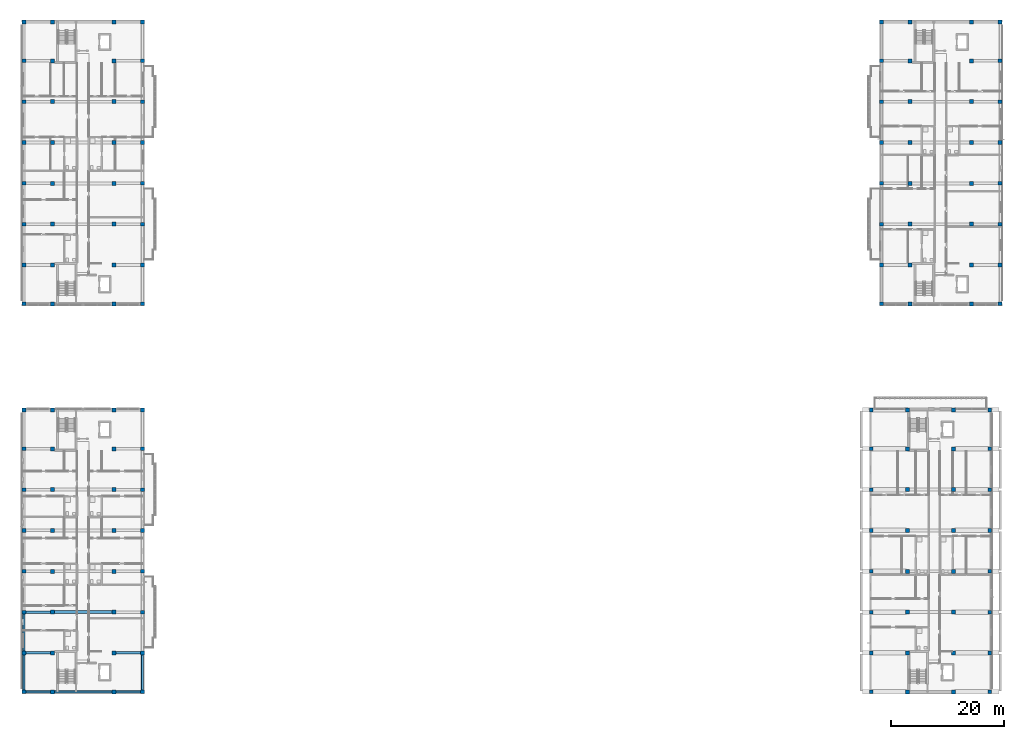
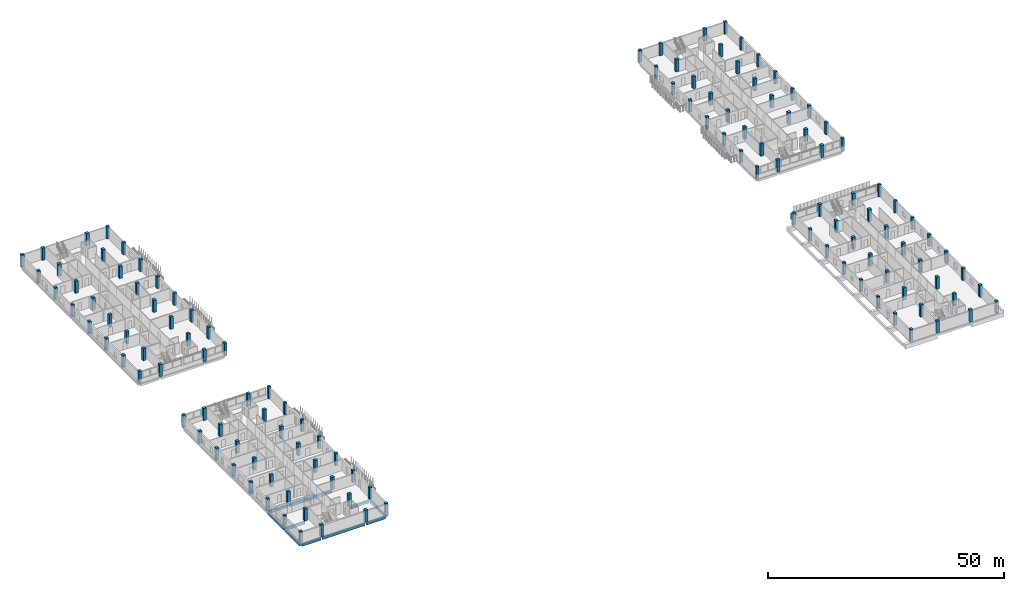
# One storey, part 1 of 51: 128 columns, 10 beams.
"""IFC4 building model written with IfcOpenShell, lengths in metres."""

from ifc_helpers import new_model, si_unit, derived_unit, direction, frame, origin, origin_2d, place, context, subcontext, project, spatial, rectangle, extrude, material, material_profile, profile_set, type_object, element, save


model = new_model("IFC4")

# Units and contexts
model_context = context("Model", 3, precision=1e-05, world=origin(), true_north=direction((0.0, 1.0)))
body_context = subcontext(model_context, "Body", "Model", "MODEL_VIEW")
ifc_project = project(units=[si_unit("LENGTHUNIT", "METRE"), si_unit("AREAUNIT", "SQUARE_METRE"), si_unit("VOLUMEUNIT", "CUBIC_METRE"), si_unit("PLANEANGLEUNIT", "RADIAN"), si_unit("MASSUNIT", "GRAM", prefix="KILO"), derived_unit("THERMALTRANSMITTANCEUNIT", [(si_unit("MASSUNIT", "GRAM", prefix="KILO"), 1), (si_unit("TIMEUNIT", "SECOND"), -3), (si_unit("THERMODYNAMICTEMPERATUREUNIT", "KELVIN"), -1)])], contexts=[model_context])

# Site, building, storey
site_placement = place(None, origin())
site = spatial("IfcSite", under=ifc_project, at=site_placement, CompositionType="ELEMENT")
building_placement = place(site_placement, origin())
building = spatial("IfcBuilding", under=site, at=building_placement, Name="Ochrekiln Boulevard Commons", CompositionType="ELEMENT")
storey_placement = place(building_placement, frame((0.0, 0.0, 18.375)))
storey = spatial("IfcBuildingStorey", under=building, at=storey_placement, Name="L05", CompositionType="ELEMENT", Elevation=18.375)

# Columns
ifc_material_1 = material(Name="Concrete C40/50", Category="concrete")
ifc_material_profile_1 = material_profile(ifc_material_1, rectangle(XDim=0.64990234375, YDim=0.64990234375, at=origin_2d()), Name="RC-COL-650x650")
ifc_profile_set_1 = profile_set([ifc_material_profile_1], Name="Concrete C40/50")
column_type_1 = type_object("IfcColumnType", Name="COL-RC-650", PredefinedType="COLUMN", material=ifc_profile_set_1)
for number, where, z_axis, x_axis, name in (
    (1, (0.35009765625, 68.75, 0.0), (0.0, 0.0, 1.0), (1.0, 0.0, 0.0), "Block A L05 Column C-650 (1)"),
    (2, (0.35009765625, 75.60009765625, 0.0), (0.0, 0.0, 1.0), (1.0, 0.0, 0.0), "Block A L05 Column C-650 (2)"),
    (3, (0.35009765625, 82.800048828125, 0.0), (0.0, 0.0, 1.0), (1.0, 0.0, 0.0), "Block A L05 Column C-650 (3)"),
    (4, (0.35009765625, 90.0, 0.0), (0.0, 0.0, 1.0), (1.0, 0.0, 0.0), "Block A L05 Column C-650 (4)"),
    (5, (0.35009765625, 97.199951171875, 0.0), (0.0, 0.0, 1.0), (1.0, 0.0, 0.0), "Block A L05 Column C-650 (5)"),
    (6, (0.35009765625, 104.39990234375, 0.0), (0.0, 0.0, 1.0), (1.0, 0.0, 0.0), "Block A L05 Column C-650 (6)"),
    (7, (0.35009765625, 111.60009765625, 0.0), (0.0, 0.0, 1.0), (1.0, 0.0, 0.0), "Block A L05 Column C-650 (7)"),
    (8, (0.35009765625, 118.449951171875, 0.0), (0.0, 0.0, 1.0), (1.0, 0.0, 0.0), "Block A L05 Column C-650 (8)"),
    (9, (21.25, 68.75, 0.0), (0.0, 0.0, 1.0), (1.0, 0.0, 0.0), "Block A L05 Column C-650 (25)"),
    (10, (21.25, 75.60009765625, 0.0), (0.0, 0.0, 1.0), (1.0, 0.0, 0.0), "Block A L05 Column C-650 (26)"),
    (11, (21.25, 82.800048828125, 0.0), (0.0, 0.0, 1.0), (1.0, 0.0, 0.0), "Block A L05 Column C-650 (27)"),
    (12, (21.25, 90.0, 0.0), (0.0, 0.0, 1.0), (1.0, 0.0, 0.0), "Block A L05 Column C-650 (28)"),
    (13, (21.25, 97.199951171875, 0.0), (0.0, 0.0, 1.0), (1.0, 0.0, 0.0), "Block A L05 Column C-650 (29)"),
    (14, (21.25, 104.39990234375, 0.0), (0.0, 0.0, 1.0), (1.0, 0.0, 0.0), "Block A L05 Column C-650 (30)"),
    (15, (21.25, 111.60009765625, 0.0), (0.0, 0.0, 1.0), (1.0, 0.0, 0.0), "Block A L05 Column C-650 (31)"),
    (16, (21.25, 118.449951171875, 0.0), (0.0, 0.0, 1.0), (1.0, 0.0, 0.0), "Block A L05 Column C-650 (32)"),
    (17, (151.550048828125, 68.75, 0.0), (0.0, 0.0, 1.0), (1.0, 0.0, 0.0), "Block B L05 Column C-650 (1)"),
    (18, (151.550048828125, 75.60009765625, 0.0), (0.0, 0.0, 1.0), (1.0, 0.0, 0.0), "Block B L05 Column C-650 (2)"),
    (19, (151.550048828125, 82.800048828125, 0.0), (0.0, 0.0, 1.0), (1.0, 0.0, 0.0), "Block B L05 Column C-650 (3)"),
    (20, (151.550048828125, 90.0, 0.0), (0.0, 0.0, 1.0), (1.0, 0.0, 0.0), "Block B L05 Column C-650 (4)"),
    (21, (151.550048828125, 97.199951171875, 0.0), (0.0, 0.0, 1.0), (1.0, 0.0, 0.0), "Block B L05 Column C-650 (5)"),
    (22, (151.550048828125, 104.39990234375, 0.0), (0.0, 0.0, 1.0), (1.0, 0.0, 0.0), "Block B L05 Column C-650 (6)"),
    (23, (151.550048828125, 111.60009765625, 0.0), (0.0, 0.0, 1.0), (1.0, 0.0, 0.0), "Block B L05 Column C-650 (7)"),
    (24, (151.550048828125, 118.449951171875, 0.0), (0.0, 0.0, 1.0), (1.0, 0.0, 0.0), "Block B L05 Column C-650 (8)"),
    (25, (172.449951171875, 68.75, 0.0), (0.0, 0.0, 1.0), (1.0, 0.0, 0.0), "Block B L05 Column C-650 (25)"),
    (26, (172.449951171875, 75.60009765625, 0.0), (0.0, 0.0, 1.0), (1.0, 0.0, 0.0), "Block B L05 Column C-650 (26)"),
    (27, (172.449951171875, 82.800048828125, 0.0), (0.0, 0.0, 1.0), (1.0, 0.0, 0.0), "Block B L05 Column C-650 (27)"),
    (28, (172.449951171875, 90.0, 0.0), (0.0, 0.0, 1.0), (1.0, 0.0, 0.0), "Block B L05 Column C-650 (28)"),
    (29, (172.449951171875, 97.199951171875, 0.0), (0.0, 0.0, 1.0), (1.0, 0.0, 0.0), "Block B L05 Column C-650 (29)"),
    (30, (172.449951171875, 104.39990234375, 0.0), (0.0, 0.0, 1.0), (1.0, 0.0, 0.0), "Block B L05 Column C-650 (30)"),
    (31, (172.449951171875, 111.60009765625, 0.0), (0.0, 0.0, 1.0), (1.0, 0.0, 0.0), "Block B L05 Column C-650 (31)"),
    (32, (172.449951171875, 118.449951171875, 0.0), (0.0, 0.0, 1.0), (1.0, 0.0, 0.0), "Block B L05 Column C-650 (32)"),
    (33, (149.75, 0.35009765625, 0.0), (0.0, 0.0, 1.0), (1.0, 0.0, 0.0), "Block C L05 Column C-650 (1)"),
    (34, (149.75, 7.199951171875, 0.0), (0.0, 0.0, 1.0), (1.0, 0.0, 0.0), "Block C L05 Column C-650 (2)"),
    (35, (149.75, 14.39990234375, 0.0), (0.0, 0.0, 1.0), (1.0, 0.0, 0.0), "Block C L05 Column C-650 (3)"),
    (36, (149.75, 21.60009765625, 0.0), (0.0, 0.0, 1.0), (1.0, 0.0, 0.0), "Block C L05 Column C-650 (4)"),
    (37, (149.75, 28.800048828125, 0.0), (0.0, 0.0, 1.0), (1.0, 0.0, 0.0), "Block C L05 Column C-650 (5)"),
    (38, (149.75, 36.0, 0.0), (0.0, 0.0, 1.0), (1.0, 0.0, 0.0), "Block C L05 Column C-650 (6)"),
    (39, (149.75, 43.199951171875, 0.0), (0.0, 0.0, 1.0), (1.0, 0.0, 0.0), "Block C L05 Column C-650 (7)"),
    (40, (149.75, 50.050048828125, 0.0), (0.0, 0.0, 1.0), (1.0, 0.0, 0.0), "Block C L05 Column C-650 (8)"),
    (41, (170.64990234375, 0.35009765625, 0.0), (0.0, 0.0, 1.0), (1.0, 0.0, 0.0), "Block C L05 Column C-650 (25)"),
    (42, (170.64990234375, 7.199951171875, 0.0), (0.0, 0.0, 1.0), (1.0, 0.0, 0.0), "Block C L05 Column C-650 (26)"),
    (43, (170.64990234375, 14.39990234375, 0.0), (0.0, 0.0, 1.0), (1.0, 0.0, 0.0), "Block C L05 Column C-650 (27)"),
    (44, (170.64990234375, 21.60009765625, 0.0), (0.0, 0.0, 1.0), (1.0, 0.0, 0.0), "Block C L05 Column C-650 (28)"),
    (45, (170.64990234375, 28.800048828125, 0.0), (0.0, 0.0, 1.0), (1.0, 0.0, 0.0), "Block C L05 Column C-650 (29)"),
    (46, (170.64990234375, 36.0, 0.0), (0.0, 0.0, 1.0), (1.0, 0.0, 0.0), "Block C L05 Column C-650 (30)"),
    (47, (170.64990234375, 43.199951171875, 0.0), (0.0, 0.0, 1.0), (1.0, 0.0, 0.0), "Block C L05 Column C-650 (31)"),
    (48, (170.64990234375, 50.050048828125, 0.0), (0.0, 0.0, 1.0), (1.0, 0.0, 0.0), "Block C L05 Column C-650 (32)"),
    (49, (0.35009765625, 0.35009765625, 0.0), (0.0, 0.0, 1.0), (1.0, 0.0, 0.0), "Block D L05 Column C-650 (1)"),
    (50, (0.35009765625, 7.199951171875, 0.0), (0.0, 0.0, 1.0), (1.0, 0.0, 0.0), "Block D L05 Column C-650 (2)"),
    (51, (0.35009765625, 14.39990234375, 0.0), (0.0, 0.0, 1.0), (1.0, 0.0, 0.0), "Block D L05 Column C-650 (3)"),
    (52, (0.35009765625, 21.60009765625, 0.0), (0.0, 0.0, 1.0), (1.0, 0.0, 0.0), "Block D L05 Column C-650 (4)"),
    (53, (0.35009765625, 28.800048828125, 0.0), (0.0, 0.0, 1.0), (1.0, 0.0, 0.0), "Block D L05 Column C-650 (5)"),
    (54, (0.35009765625, 36.0, 0.0), (0.0, 0.0, 1.0), (1.0, 0.0, 0.0), "Block D L05 Column C-650 (6)"),
    (55, (0.35009765625, 43.199951171875, 0.0), (0.0, 0.0, 1.0), (1.0, 0.0, 0.0), "Block D L05 Column C-650 (7)"),
    (56, (0.35009765625, 50.050048828125, 0.0), (0.0, 0.0, 1.0), (1.0, 0.0, 0.0), "Block D L05 Column C-650 (8)"),
    (57, (21.25, 0.35009765625, 0.0), (0.0, 0.0, 1.0), (1.0, 0.0, 0.0), "Block D L05 Column C-650 (25)"),
    (58, (21.25, 7.199951171875, 0.0), (0.0, 0.0, 1.0), (1.0, 0.0, 0.0), "Block D L05 Column C-650 (26)"),
    (59, (21.25, 14.39990234375, 0.0), (0.0, 0.0, 1.0), (1.0, 0.0, 0.0), "Block D L05 Column C-650 (27)"),
    (60, (21.25, 21.60009765625, 0.0), (0.0, 0.0, 1.0), (1.0, 0.0, 0.0), "Block D L05 Column C-650 (28)"),
    (61, (21.25, 28.800048828125, 0.0), (0.0, 0.0, 1.0), (1.0, 0.0, 0.0), "Block D L05 Column C-650 (29)"),
    (62, (21.25, 36.0, 0.0), (0.0, 0.0, 1.0), (1.0, 0.0, 0.0), "Block D L05 Column C-650 (30)"),
    (63, (21.25, 43.199951171875, 0.0), (0.0, 0.0, 1.0), (1.0, 0.0, 0.0), "Block D L05 Column C-650 (31)"),
    (64, (21.25, 50.050048828125, 0.0), (0.0, 0.0, 1.0), (1.0, 0.0, 0.0), "Block D L05 Column C-650 (32)"),
):
    element("IfcColumn", number, at=place(storey_placement, frame(where, z_axis=z_axis, x_axis=x_axis)), inside=storey, type_object=column_type_1, Name=name, PredefinedType="COLUMN", context=body_context, shape_type="SweptSolid", body=[
        extrude(rectangle(XDim=0.64990234375, YDim=0.64990234375, at=origin_2d()), origin(), (0.0, 0.0, 1.0), 3.14990234375),
    ])
ifc_material_profile_2 = material_profile(ifc_material_1, rectangle(XDim=0.699951171875, YDim=0.699951171875, at=origin_2d()), Name="RC-COL-700x700")
ifc_profile_set_2 = profile_set([ifc_material_profile_2], Name="Concrete C40/50")
column_type_2 = type_object("IfcColumnType", Name="COL-RC-700", PredefinedType="COLUMN", material=ifc_profile_set_2)
for number, where, z_axis, x_axis, name in (
    (65, (5.39990234375, 68.75, 0.0), (0.0, 0.0, 1.0), (1.0, 0.0, 0.0), "Block A L05 Column C-700 (9)"),
    (66, (5.39990234375, 75.60009765625, 0.0), (0.0, 0.0, 1.0), (1.0, 0.0, 0.0), "Block A L05 Column C-700 (10)"),
    (67, (5.39990234375, 82.800048828125, 0.0), (0.0, 0.0, 1.0), (1.0, 0.0, 0.0), "Block A L05 Column C-700 (11)"),
    (68, (5.39990234375, 90.0, 0.0), (0.0, 0.0, 1.0), (1.0, 0.0, 0.0), "Block A L05 Column C-700 (12)"),
    (69, (5.39990234375, 97.199951171875, 0.0), (0.0, 0.0, 1.0), (1.0, 0.0, 0.0), "Block A L05 Column C-700 (13)"),
    (70, (5.39990234375, 104.39990234375, 0.0), (0.0, 0.0, 1.0), (1.0, 0.0, 0.0), "Block A L05 Column C-700 (14)"),
    (71, (5.39990234375, 111.60009765625, 0.0), (0.0, 0.0, 1.0), (1.0, 0.0, 0.0), "Block A L05 Column C-700 (15)"),
    (72, (5.39990234375, 118.449951171875, 0.0), (0.0, 0.0, 1.0), (1.0, 0.0, 0.0), "Block A L05 Column C-700 (16)"),
    (73, (16.199951171875, 68.75, 0.0), (0.0, 0.0, 1.0), (1.0, 0.0, 0.0), "Block A L05 Column C-700 (17)"),
    (74, (16.199951171875, 75.60009765625, 0.0), (0.0, 0.0, 1.0), (1.0, 0.0, 0.0), "Block A L05 Column C-700 (18)"),
    (75, (16.199951171875, 82.800048828125, 0.0), (0.0, 0.0, 1.0), (1.0, 0.0, 0.0), "Block A L05 Column C-700 (19)"),
    (76, (16.199951171875, 90.0, 0.0), (0.0, 0.0, 1.0), (1.0, 0.0, 0.0), "Block A L05 Column C-700 (20)"),
    (77, (16.199951171875, 97.199951171875, 0.0), (0.0, 0.0, 1.0), (1.0, 0.0, 0.0), "Block A L05 Column C-700 (21)"),
    (78, (16.199951171875, 104.39990234375, 0.0), (0.0, 0.0, 1.0), (1.0, 0.0, 0.0), "Block A L05 Column C-700 (22)"),
    (79, (16.199951171875, 111.60009765625, 0.0), (0.0, 0.0, 1.0), (1.0, 0.0, 0.0), "Block A L05 Column C-700 (23)"),
    (80, (16.199951171875, 118.449951171875, 0.0), (0.0, 0.0, 1.0), (1.0, 0.0, 0.0), "Block A L05 Column C-700 (24)"),
    (81, (156.60009765625, 68.75, 0.0), (0.0, 0.0, 1.0), (1.0, 0.0, 0.0), "Block B L05 Column C-700 (9)"),
    (82, (156.60009765625, 75.60009765625, 0.0), (0.0, 0.0, 1.0), (1.0, 0.0, 0.0), "Block B L05 Column C-700 (10)"),
    (83, (156.60009765625, 82.800048828125, 0.0), (0.0, 0.0, 1.0), (1.0, 0.0, 0.0), "Block B L05 Column C-700 (11)"),
    (84, (156.60009765625, 90.0, 0.0), (0.0, 0.0, 1.0), (1.0, 0.0, 0.0), "Block B L05 Column C-700 (12)"),
    (85, (156.60009765625, 97.199951171875, 0.0), (0.0, 0.0, 1.0), (1.0, 0.0, 0.0), "Block B L05 Column C-700 (13)"),
    (86, (156.60009765625, 104.39990234375, 0.0), (0.0, 0.0, 1.0), (1.0, 0.0, 0.0), "Block B L05 Column C-700 (14)"),
    (87, (156.60009765625, 111.60009765625, 0.0), (0.0, 0.0, 1.0), (1.0, 0.0, 0.0), "Block B L05 Column C-700 (15)"),
    (88, (156.60009765625, 118.449951171875, 0.0), (0.0, 0.0, 1.0), (1.0, 0.0, 0.0), "Block B L05 Column C-700 (16)"),
    (89, (167.39990234375, 68.75, 0.0), (0.0, 0.0, 1.0), (1.0, 0.0, 0.0), "Block B L05 Column C-700 (17)"),
    (90, (167.39990234375, 75.60009765625, 0.0), (0.0, 0.0, 1.0), (1.0, 0.0, 0.0), "Block B L05 Column C-700 (18)"),
    (91, (167.39990234375, 82.800048828125, 0.0), (0.0, 0.0, 1.0), (1.0, 0.0, 0.0), "Block B L05 Column C-700 (19)"),
    (92, (167.39990234375, 90.0, 0.0), (0.0, 0.0, 1.0), (1.0, 0.0, 0.0), "Block B L05 Column C-700 (20)"),
    (93, (167.39990234375, 97.199951171875, 0.0), (0.0, 0.0, 1.0), (1.0, 0.0, 0.0), "Block B L05 Column C-700 (21)"),
    (94, (167.39990234375, 104.39990234375, 0.0), (0.0, 0.0, 1.0), (1.0, 0.0, 0.0), "Block B L05 Column C-700 (22)"),
    (95, (167.39990234375, 111.60009765625, 0.0), (0.0, 0.0, 1.0), (1.0, 0.0, 0.0), "Block B L05 Column C-700 (23)"),
    (96, (167.39990234375, 118.449951171875, 0.0), (0.0, 0.0, 1.0), (1.0, 0.0, 0.0), "Block B L05 Column C-700 (24)"),
    (97, (156.14990234375, 0.35009765625, 0.0), (0.0, 0.0, 1.0), (1.0, 0.0, 0.0), "Block C L05 Column C-700 (9)"),
    (98, (156.14990234375, 7.199951171875, 0.0), (0.0, 0.0, 1.0), (1.0, 0.0, 0.0), "Block C L05 Column C-700 (10)"),
    (99, (156.14990234375, 14.39990234375, 0.0), (0.0, 0.0, 1.0), (1.0, 0.0, 0.0), "Block C L05 Column C-700 (11)"),
    (100, (156.14990234375, 21.60009765625, 0.0), (0.0, 0.0, 1.0), (1.0, 0.0, 0.0), "Block C L05 Column C-700 (12)"),
    (101, (156.14990234375, 28.800048828125, 0.0), (0.0, 0.0, 1.0), (1.0, 0.0, 0.0), "Block C L05 Column C-700 (13)"),
    (102, (156.14990234375, 36.0, 0.0), (0.0, 0.0, 1.0), (1.0, 0.0, 0.0), "Block C L05 Column C-700 (14)"),
    (103, (156.14990234375, 43.199951171875, 0.0), (0.0, 0.0, 1.0), (1.0, 0.0, 0.0), "Block C L05 Column C-700 (15)"),
    (104, (156.14990234375, 50.050048828125, 0.0), (0.0, 0.0, 1.0), (1.0, 0.0, 0.0), "Block C L05 Column C-700 (16)"),
    (105, (164.25, 0.35009765625, 0.0), (0.0, 0.0, 1.0), (1.0, 0.0, 0.0), "Block C L05 Column C-700 (17)"),
    (106, (164.25, 7.199951171875, 0.0), (0.0, 0.0, 1.0), (1.0, 0.0, 0.0), "Block C L05 Column C-700 (18)"),
    (107, (164.25, 14.39990234375, 0.0), (0.0, 0.0, 1.0), (1.0, 0.0, 0.0), "Block C L05 Column C-700 (19)"),
    (108, (164.25, 21.60009765625, 0.0), (0.0, 0.0, 1.0), (1.0, 0.0, 0.0), "Block C L05 Column C-700 (20)"),
    (109, (164.25, 28.800048828125, 0.0), (0.0, 0.0, 1.0), (1.0, 0.0, 0.0), "Block C L05 Column C-700 (21)"),
    (110, (164.25, 36.0, 0.0), (0.0, 0.0, 1.0), (1.0, 0.0, 0.0), "Block C L05 Column C-700 (22)"),
    (111, (164.25, 43.199951171875, 0.0), (0.0, 0.0, 1.0), (1.0, 0.0, 0.0), "Block C L05 Column C-700 (23)"),
    (112, (164.25, 50.050048828125, 0.0), (0.0, 0.0, 1.0), (1.0, 0.0, 0.0), "Block C L05 Column C-700 (24)"),
    (113, (5.39990234375, 0.35009765625, 0.0), (0.0, 0.0, 1.0), (1.0, 0.0, 0.0), "Block D L05 Column C-700 (9)"),
    (114, (5.39990234375, 7.199951171875, 0.0), (0.0, 0.0, 1.0), (1.0, 0.0, 0.0), "Block D L05 Column C-700 (10)"),
    (115, (5.39990234375, 14.39990234375, 0.0), (0.0, 0.0, 1.0), (1.0, 0.0, 0.0), "Block D L05 Column C-700 (11)"),
    (116, (5.39990234375, 21.60009765625, 0.0), (0.0, 0.0, 1.0), (1.0, 0.0, 0.0), "Block D L05 Column C-700 (12)"),
    (117, (5.39990234375, 28.800048828125, 0.0), (0.0, 0.0, 1.0), (1.0, 0.0, 0.0), "Block D L05 Column C-700 (13)"),
    (118, (5.39990234375, 36.0, 0.0), (0.0, 0.0, 1.0), (1.0, 0.0, 0.0), "Block D L05 Column C-700 (14)"),
    (119, (5.39990234375, 43.199951171875, 0.0), (0.0, 0.0, 1.0), (1.0, 0.0, 0.0), "Block D L05 Column C-700 (15)"),
    (120, (5.39990234375, 50.050048828125, 0.0), (0.0, 0.0, 1.0), (1.0, 0.0, 0.0), "Block D L05 Column C-700 (16)"),
    (121, (16.199951171875, 0.35009765625, 0.0), (0.0, 0.0, 1.0), (1.0, 0.0, 0.0), "Block D L05 Column C-700 (17)"),
    (122, (16.199951171875, 7.199951171875, 0.0), (0.0, 0.0, 1.0), (1.0, 0.0, 0.0), "Block D L05 Column C-700 (18)"),
    (123, (16.199951171875, 14.39990234375, 0.0), (0.0, 0.0, 1.0), (1.0, 0.0, 0.0), "Block D L05 Column C-700 (19)"),
    (124, (16.199951171875, 21.60009765625, 0.0), (0.0, 0.0, 1.0), (1.0, 0.0, 0.0), "Block D L05 Column C-700 (20)"),
    (125, (16.199951171875, 28.800048828125, 0.0), (0.0, 0.0, 1.0), (1.0, 0.0, 0.0), "Block D L05 Column C-700 (21)"),
    (126, (16.199951171875, 36.0, 0.0), (0.0, 0.0, 1.0), (1.0, 0.0, 0.0), "Block D L05 Column C-700 (22)"),
    (127, (16.199951171875, 43.199951171875, 0.0), (0.0, 0.0, 1.0), (1.0, 0.0, 0.0), "Block D L05 Column C-700 (23)"),
    (128, (16.199951171875, 50.050048828125, 0.0), (0.0, 0.0, 1.0), (1.0, 0.0, 0.0), "Block D L05 Column C-700 (24)"),
):
    element("IfcColumn", number, at=place(storey_placement, frame(where, z_axis=z_axis, x_axis=x_axis)), inside=storey, type_object=column_type_2, Name=name, PredefinedType="COLUMN", context=body_context, shape_type="SweptSolid", body=[
        extrude(rectangle(XDim=0.699951171875, YDim=0.699951171875, at=origin_2d()), origin(), (0.0, 0.0, 1.0), 3.14990234375),
    ])

# Beams
ifc_material_2 = material(Name="Concrete C35/45", Category="concrete")
ifc_material_profile_3 = material_profile(ifc_material_2, rectangle(XDim=0.449951171875, YDim=0.64990234375, at=origin_2d()), Name="RC-BM-450x650")
ifc_profile_set_3 = profile_set([ifc_material_profile_3], Name="Concrete C35/45")
beam_type_1 = type_object("IfcBeamType", Name="BM-RC-450x650", PredefinedType="BEAM", material=ifc_profile_set_3)
beam_1_placement = place(storey_placement, frame((0.56005859375, 7.199951171875, -0.5849609375), z_axis=(1.0, 0.0, 0.0), x_axis=(0.0, 1.0, 0.0)))
element("IfcBeam", 129, at=beam_1_placement, inside=storey, type_object=beam_type_1, Name="Block D L05 Beam B-4565 X4", PredefinedType="BEAM", context=body_context, shape_type="SweptSolid", body=[
    extrude(rectangle(XDim=0.449951171875, YDim=0.64990234375, at=origin_2d()), origin(), (0.0, 0.0, 1.0), 4.6298828125),
])
beam_2_placement = place(storey_placement, frame((16.409912109375, 7.199951171875, -0.5849609375), z_axis=(1.0, 0.0, 0.0), x_axis=(0.0, 1.0, 0.0)))
element("IfcBeam", 130, at=beam_2_placement, inside=storey, type_object=beam_type_1, Name="Block D L05 Beam B-4565 X5", PredefinedType="BEAM", context=body_context, shape_type="SweptSolid", body=[
    extrude(rectangle(XDim=0.449951171875, YDim=0.64990234375, at=origin_2d()), origin(), (0.0, 0.0, 1.0), 4.630126953125),
])
beam_3_placement = place(storey_placement, frame((0.56005859375, 14.39990234375, -0.5849609375), z_axis=(1.0, 0.0, 0.0), x_axis=(0.0, 1.0, 0.0)))
element("IfcBeam", 131, at=beam_3_placement, inside=storey, type_object=beam_type_1, Name="Block D L05 Beam B-4565 X6", PredefinedType="BEAM", context=body_context, shape_type="SweptSolid", body=[
    extrude(rectangle(XDim=0.449951171875, YDim=0.64990234375, at=origin_2d()), origin(), (0.0, 0.0, 1.0), 4.6298828125),
])
ifc_material_profile_4 = material_profile(ifc_material_1, rectangle(XDim=0.5, YDim=0.699951171875, at=origin_2d()), Name="RC-BM-500x700")
ifc_profile_set_4 = profile_set([ifc_material_profile_4], Name="Concrete C40/50")
beam_type_2 = type_object("IfcBeamType", Name="BM-RC-500x700", PredefinedType="BEAM", material=ifc_profile_set_4)
beam_4_placement = place(storey_placement, frame((5.610107421875, 14.39990234375, -0.610107421875), z_axis=(1.0, 0.0, 0.0), x_axis=(0.0, 1.0, 0.0)))
element("IfcBeam", 132, at=beam_4_placement, inside=storey, type_object=beam_type_2, Name="Block D L05 Beam B-5070 X7", PredefinedType="BEAM", context=body_context, shape_type="SweptSolid", body=[
    extrude(rectangle(XDim=0.5, YDim=0.699951171875, at=origin_2d()), origin(), (0.0, 0.0, 1.0), 10.3798828125),
])
ifc_material_profile_5 = material_profile(ifc_material_1, rectangle(XDim=0.35009765625, YDim=0.64990234375, at=origin_2d()), Name="RC-SPN-350x650")
ifc_profile_set_5 = profile_set([ifc_material_profile_5], Name="Concrete C40/50")
beam_type_3 = type_object("IfcBeamType", Name="SPN-RC-350x650", PredefinedType="SPANDREL", material=ifc_profile_set_5)
beam_5_placement = place(storey_placement, frame((0.56005859375, 0.35009765625, -0.5849609375), z_axis=(1.0, 0.0, 0.0), x_axis=(0.0, 1.0, 0.0)))
element("IfcBeam", 133, at=beam_5_placement, inside=storey, type_object=beam_type_3, Name="Block D L05 Beam SP-3565 X1", PredefinedType="SPANDREL", context=body_context, shape_type="SweptSolid", body=[
    extrude(rectangle(XDim=0.35009765625, YDim=0.64990234375, at=origin_2d()), origin(), (0.0, 0.0, 1.0), 4.6298828125),
])
beam_6_placement = place(storey_placement, frame((5.610107421875, 0.35009765625, -0.5849609375), z_axis=(1.0, 0.0, 0.0), x_axis=(0.0, 1.0, 0.0)))
element("IfcBeam", 134, at=beam_6_placement, inside=storey, type_object=beam_type_3, Name="Block D L05 Beam SP-3565 X2", PredefinedType="SPANDREL", context=body_context, shape_type="SweptSolid", body=[
    extrude(rectangle(XDim=0.35009765625, YDim=0.64990234375, at=origin_2d()), origin(), (0.0, 0.0, 1.0), 10.3798828125),
])
beam_7_placement = place(storey_placement, frame((16.409912109375, 0.35009765625, -0.5849609375), z_axis=(1.0, 0.0, 0.0), x_axis=(0.0, 1.0, 0.0)))
element("IfcBeam", 135, at=beam_7_placement, inside=storey, type_object=beam_type_3, Name="Block D L05 Beam SP-3565 X3", PredefinedType="SPANDREL", context=body_context, shape_type="SweptSolid", body=[
    extrude(rectangle(XDim=0.35009765625, YDim=0.64990234375, at=origin_2d()), origin(), (0.0, 0.0, 1.0), 4.630126953125),
])
beam_8_placement = place(storey_placement, frame((0.35009765625, 0.56005859375, -0.5849609375), z_axis=(0.0, 1.0, 0.0), x_axis=(-1.0, 0.0, 0.0)))
element("IfcBeam", 136, at=beam_8_placement, inside=storey, type_object=beam_type_3, Name="Block D L05 Beam SP-3565 Y23", PredefinedType="SPANDREL", context=body_context, shape_type="SweptSolid", body=[
    extrude(rectangle(XDim=0.35009765625, YDim=0.64990234375, at=origin_2d()), origin(), (0.0, 0.0, 1.0), 6.429931640625),
])
beam_9_placement = place(storey_placement, frame((0.35009765625, 7.409912109375, -0.5849609375), z_axis=(0.0, 1.0, 0.0), x_axis=(-1.0, 0.0, 0.0)))
element("IfcBeam", 137, at=beam_9_placement, inside=storey, type_object=beam_type_3, Name="Block D L05 Beam SP-3565 Y24", PredefinedType="SPANDREL", context=body_context, shape_type="SweptSolid", body=[
    extrude(rectangle(XDim=0.35009765625, YDim=0.64990234375, at=origin_2d()), origin(), (0.0, 0.0, 1.0), 6.780029296875),
])
beam_10_placement = place(storey_placement, frame((21.25, 0.56005859375, -0.5849609375), z_axis=(0.0, 1.0, 0.0), x_axis=(-1.0, 0.0, 0.0)))
element("IfcBeam", 138, at=beam_10_placement, inside=storey, type_object=beam_type_3, Name="Block D L05 Beam SP-3565 Y30", PredefinedType="SPANDREL", context=body_context, shape_type="SweptSolid", body=[
    extrude(rectangle(XDim=0.35009765625, YDim=0.64990234375, at=origin_2d()), origin(), (0.0, 0.0, 1.0), 6.429931640625),
])

save(model, "model.ifc")
